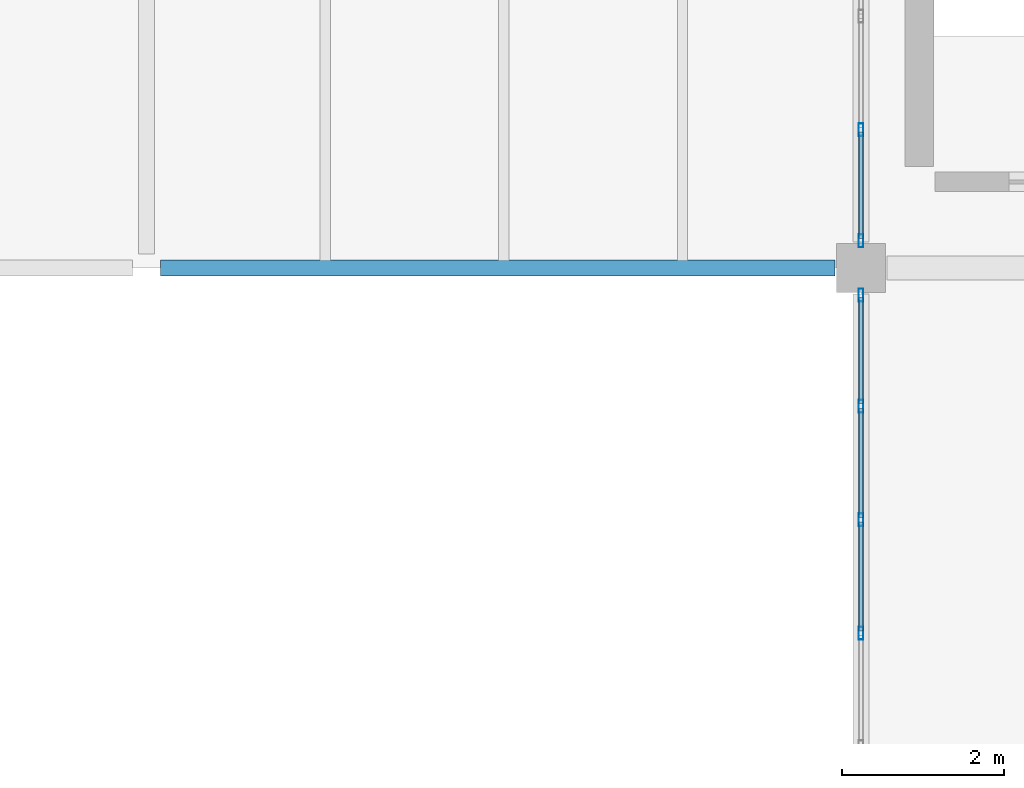
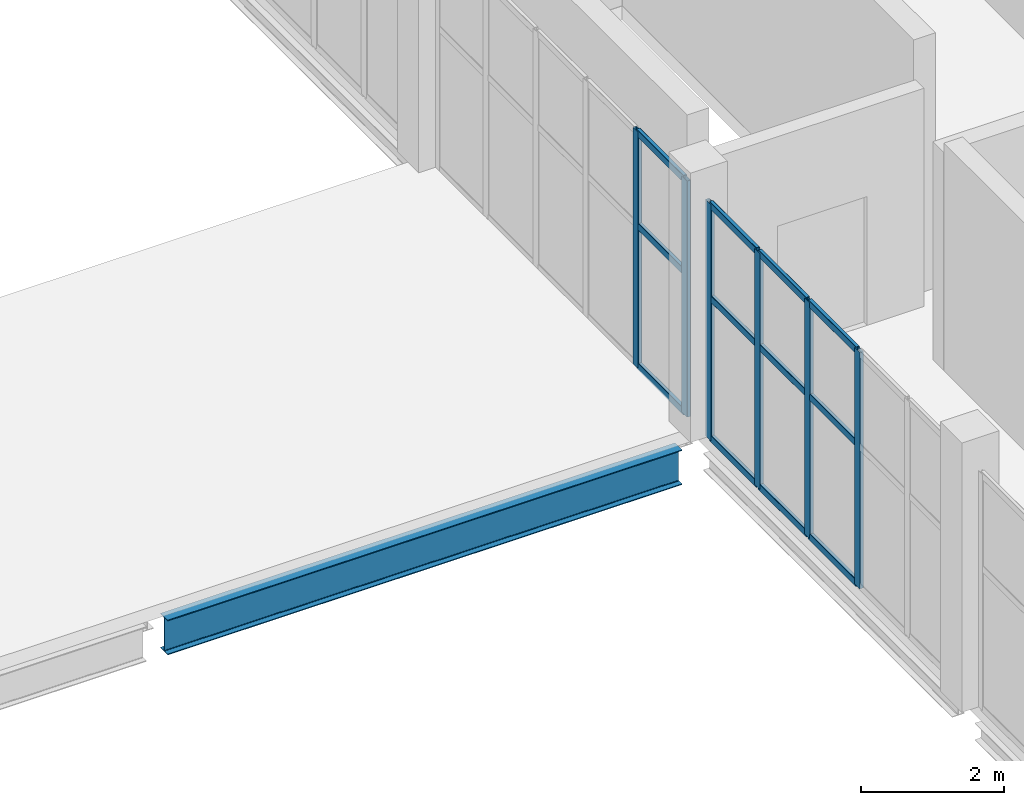
# One storey, part 76 of 136: 18 members, 1 beam, 2 elements without a shape of their own.
"""IFC4 building model written with IfcOpenShell, lengths in metres."""

import ifcopenshell
import ifcopenshell.guid

model = None  # the IFC model being written
_history = None  # IfcOwnerHistory: only IFC2X3 demands one
_inside = {}  # id of a spatial element -> (the spatial element, [elements in it])
_under = {}  # id of a project, library or spatial element -> (it, [spatial elements below it])
_declared = {}  # id of a project -> (the project, [libraries it declares])
_typed = {}  # id of a type object -> (the type object, [elements of that type])
_made_of = {}  # id of a material, layer set ... -> (it, [elements and type objects made of it])


def new_model(schema):
    """Start an empty IFC model of exactly this schema.

    Asked for "IFC4X3", IfcOpenShell would pick the latest addendum, in which some entities
    have other attributes; the version numbers below select the first issue.
    IFC2X3 requires an IfcOwnerHistory on every rooted entity: one is made here for all.
    """
    global model, _history
    if schema == "IFC4X3":
        model = ifcopenshell.file(schema_version=(4, 3, 0, 0))
    else:
        model = ifcopenshell.file(schema=schema)
    _inside.clear()
    _under.clear()
    _declared.clear()
    _typed.clear()
    _made_of.clear()
    _history = None
    if model.schema == "IFC2X3":
        org = make("IfcOrganization", Name="unknown")
        user = make(
            "IfcPersonAndOrganization",
            ThePerson=make("IfcPerson", FamilyName="unknown"),
            TheOrganization=org,
        )
        app = make(
            "IfcApplication",
            ApplicationDeveloper=org,
            Version="unknown",
            ApplicationFullName="unknown",
            ApplicationIdentifier="unknown",
        )
        _history = make(
            "IfcOwnerHistory",
            OwningUser=user,
            OwningApplication=app,
            ChangeAction="ADDED",
            CreationDate=0,
        )
    return model


def make(cls, **values):
    """One entity of the class cls with the attributes given. An attribute that is None is left unset."""
    return model.create_entity(
        cls, **{name: value for name, value in values.items() if value is not None}
    )


def rooted(cls, **values):
    """An entity with a GlobalId (a new one), such as an element, a storey or a relation."""
    return make(cls, GlobalId=ifcopenshell.guid.new(), OwnerHistory=_history, **values)


def si_unit(unit_type, name, prefix=None):
    """IfcSIUnit, for example si_unit("LENGTHUNIT", "METRE", prefix="MILLI")."""
    return make("IfcSIUnit", UnitType=unit_type, Prefix=prefix, Name=name)


def assignment(units):
    """IfcUnitAssignment: the units of a project."""
    return None if units is None else make("IfcUnitAssignment", Units=units)


def point(xyz):
    """IfcCartesianPoint."""
    return None if xyz is None else make("IfcCartesianPoint", Coordinates=xyz)


def direction(xyz):
    """IfcDirection."""
    return None if xyz is None else make("IfcDirection", DirectionRatios=xyz)


def frame(location, z_axis=None, x_axis=None):
    """IfcAxis2Placement3D, a coordinate frame: its origin and axes. An axis left out is left unset."""
    return make(
        "IfcAxis2Placement3D",
        Location=point(location),
        Axis=direction(z_axis),
        RefDirection=direction(x_axis),
    )


def frame_2d(location, x_axis=None):
    """IfcAxis2Placement2D, a coordinate frame in the plane: its origin and x axis."""
    return make(
        "IfcAxis2Placement2D", Location=point(location), RefDirection=direction(x_axis)
    )


def origin():
    """The frame at (0, 0, 0) with its axes left unset."""
    return frame((0.0, 0.0, 0.0))


def origin_2d():
    """The frame at (0, 0) in the plane with its x axis left unset."""
    return frame_2d((0.0, 0.0))


def place(relative_to, where):
    """IfcLocalPlacement: puts the frame where relative to a parent placement (None: the world)."""
    return make(
        "IfcLocalPlacement", PlacementRelTo=relative_to, RelativePlacement=where
    )


def context(
    kind, dimensions, precision=None, world=None, true_north=None, identifier=None
):
    """IfcGeometricRepresentationContext, for example the 3D "Model" context."""
    return make(
        "IfcGeometricRepresentationContext",
        ContextIdentifier=identifier,
        ContextType=kind,
        CoordinateSpaceDimension=dimensions,
        Precision=precision,
        WorldCoordinateSystem=world,
        TrueNorth=true_north,
    )


def subcontext(parent, identifier, kind, view, scale=None):
    """IfcGeometricRepresentationSubContext, for example "Body" below "Model"."""
    return make(
        "IfcGeometricRepresentationSubContext",
        ContextIdentifier=identifier,
        ContextType=kind,
        ParentContext=parent,
        TargetScale=scale,
        TargetView=view,
    )


def project(units=None, contexts=None):
    """IfcProject with its units and contexts."""
    return rooted(
        "IfcProject",
        Name="project",
        RepresentationContexts=contexts,
        UnitsInContext=assignment(units),
    )


def spatial(cls, under=None, at=None, **own):
    """A site, building, storey or space (cls), placed at a placement, below another one or the project."""
    s = rooted(cls, ObjectPlacement=at, **own)
    if under is not None:
        _under.setdefault(under.id(), (under, []))[1].append(s)
    return s


def profile(cls, at=None, kind="AREA", **sizes):
    """A parametric profile (cls). Its sizes go by their IFC names, for example OverallWidth=200.0."""
    return make(cls, ProfileType=kind, Position=at, **sizes)


def hollow_rectangle(**sizes):
    """IfcRectangleHollowProfileDef."""
    return profile("IfcRectangleHollowProfileDef", **sizes)


def i_section(**sizes):
    """IfcIShapeProfileDef."""
    return profile("IfcIShapeProfileDef", **sizes)


def extrude(swept, where, along, depth):
    """IfcExtrudedAreaSolid: the profile swept, set in the frame where, extruded along a direction by depth."""
    return make(
        "IfcExtrudedAreaSolid",
        SweptArea=swept,
        Position=where,
        ExtrudedDirection=direction(along),
        Depth=depth,
    )


def shape(context_of_items, identifier, shape_type, items):
    """IfcShapeRepresentation: the items that make up one representation, for example the "Body"."""
    return make(
        "IfcShapeRepresentation",
        ContextOfItems=context_of_items,
        RepresentationIdentifier=identifier,
        RepresentationType=shape_type,
        Items=items,
    )


def material(Name=None, Category=None):
    """IfcMaterial."""
    return make("IfcMaterial", Name=Name, Category=Category)


def material_profile(
    of_material, cross_section, Name=None, Category=None, Priority=None
):
    """IfcMaterialProfile: a cross section and its material."""
    return make(
        "IfcMaterialProfile",
        Name=Name,
        Material=of_material,
        Profile=cross_section,
        Priority=Priority,
        Category=Category,
    )


def profile_set(profiles, Name=None, composite=None):
    """IfcMaterialProfileSet."""
    return make(
        "IfcMaterialProfileSet",
        Name=Name,
        MaterialProfiles=profiles,
        CompositeProfile=composite,
    )


def made_of(thing, what):
    """Note that an element or type object is made of a material, layer set ...; save() writes the relation."""
    if what is not None:
        _made_of.setdefault(what.id(), (what, []))[1].append(thing)
    return thing


def type_object(cls, material=None, **own):
    """A type object (cls), such as IfcWallType, which elements share."""
    return made_of(rooted(cls, **own), material)


def element(
    cls,
    number,
    at=None,
    inside=None,
    cuts=None,
    type_object=None,
    material=None,
    context=None,
    identifier="Body",
    shape_type=None,
    held_by="IfcProductDefinitionShape",
    body=None,
    shapes=None,
    **own,
):
    """One element of the class cls, such as IfcWall. Its Tag is "e" and its number.

    at: its placement. inside: the storey or other place that contains it. cuts: it is an
    opening in that element (IfcRelVoidsElement). A single representation is given by context,
    identifier, shape_type and body (its items); several are given by shapes. held_by: the class
    of the entity that holds the representations. save() writes the other relations.
    """
    e = rooted(cls, Tag="e%d" % number, ObjectPlacement=at, **own)
    if body is not None:
        shapes = [shape(context, identifier, shape_type, body)]
    if shapes is not None:
        e.Representation = make(held_by, Representations=shapes)
    if inside is not None:
        _inside.setdefault(inside.id(), (inside, []))[1].append(e)
    if cuts is not None:
        rooted(
            "IfcRelVoidsElement", RelatingBuildingElement=cuts, RelatedOpeningElement=e
        )
    if type_object is not None:
        _typed.setdefault(type_object.id(), (type_object, []))[1].append(e)
    return made_of(e, material)


def aggregate(whole, parts):
    """IfcRelAggregates: a whole, such as a stair, and the parts it consists of."""
    return rooted("IfcRelAggregates", RelatingObject=whole, RelatedObjects=parts)


def save(model, path):
    """Write the relations noted so far, then the file.

    IfcRelAggregates (storeys below a building ...), IfcRelContainedInSpatialStructure (elements
    in a storey), IfcRelDefinesByType, IfcRelAssociatesMaterial and IfcRelDeclares: one each for
    every whole, place, type object, material and project.
    """
    for whole, parts in _under.values():
        aggregate(whole, parts)
    for where, things in _inside.values():
        rooted(
            "IfcRelContainedInSpatialStructure",
            RelatedElements=things,
            RelatingStructure=where,
        )
    for kind, things in _typed.values():
        rooted("IfcRelDefinesByType", RelatedObjects=things, RelatingType=kind)
    for what, things in _made_of.values():
        rooted("IfcRelAssociatesMaterial", RelatedObjects=things, RelatingMaterial=what)
    for by, libraries in _declared.values():
        rooted("IfcRelDeclares", RelatingContext=by, RelatedDefinitions=libraries)
    model.write(path)


model = new_model("IFC4")

# Units and contexts
model_context = context("Model", 3, precision=1e-05, world=origin(), true_north=direction((0.0, 1.0)))
body_context = subcontext(model_context, "Body", "Model", "MODEL_VIEW")
ifc_project = project(units=[si_unit("LENGTHUNIT", "METRE"), si_unit("AREAUNIT", "SQUARE_METRE"), si_unit("VOLUMEUNIT", "CUBIC_METRE"), si_unit("PLANEANGLEUNIT", "RADIAN"), si_unit("MASSUNIT", "GRAM", prefix="KILO")], contexts=[model_context])

# Site, building, storey
site_placement = place(None, origin())
site = spatial("IfcSite", under=ifc_project, at=site_placement, CompositionType="ELEMENT")
building_placement = place(site_placement, origin())
building = spatial("IfcBuilding", under=site, at=building_placement, Name="Shengluoqiao Park Theatre", CompositionType="ELEMENT")
storey_placement = place(building_placement, frame((0.0, 0.0, 10.0)))
storey = spatial("IfcBuildingStorey", under=building, at=storey_placement, Name="L02", CompositionType="ELEMENT", Elevation=10.0)

# Curtain wall, members
ifc_material_1 = material(Name="Aluminium 6063-T6", Category="aluminium")
curtain_wall_type = type_object("IfcCurtainWallType", Name="ENV-CW-COURT", PredefinedType="NOTDEFINED", material=ifc_material_1)
curtain_wall_1_placement = place(storey_placement, origin())
curtain_wall_1 = element("IfcCurtainWall", 1, at=curtain_wall_1_placement, inside=storey, type_object=curtain_wall_type, Name="L02 Curtain Wall CWX-L02-0195", PredefinedType="NOTDEFINED")
ifc_material_profile_1 = material_profile(ifc_material_1, hollow_rectangle(XDim=0.06005859375, YDim=0.159912109375, WallThickness=0.00390625, InnerFilletRadius=0.00390625, OuterFilletRadius=0.008056640625, at=origin_2d()), Name="ALU MULLION 160x60x4")
ifc_profile_set_1 = profile_set([ifc_material_profile_1], Name="Aluminium 6063-T6")
member_type_1 = type_object("IfcMemberType", Name="ENV-MUL-160", PredefinedType="MULLION", material=ifc_profile_set_1)
member_1_placement = place(storey_placement, frame((157.199951171875, 48.70068359375, 0.0), z_axis=(0.0, 0.0, 1.0), x_axis=(-1.0, 0.0, 0.0)))
member_1 = element("IfcMember", 2, at=member_1_placement, type_object=member_type_1, Name="CW-05 mullion 3", PredefinedType="MULLION", context=body_context, shape_type="SweptSolid", body=[
    extrude(hollow_rectangle(XDim=0.06005859375, YDim=0.159912109375, WallThickness=0.00390625, InnerFilletRadius=0.00390625, OuterFilletRadius=0.008056640625, at=origin_2d()), origin(), (0.0, 0.0, 1.0), 4.033935546875),
])
member_2_placement = place(storey_placement, frame((157.199951171875, 50.09912109375, 0.0), z_axis=(0.0, 0.0, 1.0), x_axis=(-1.0, 0.0, 0.0)))
member_2 = element("IfcMember", 3, at=member_2_placement, type_object=member_type_1, Name="CW-05 mullion 4", PredefinedType="MULLION", context=body_context, shape_type="SweptSolid", body=[
    extrude(hollow_rectangle(XDim=0.06005859375, YDim=0.159912109375, WallThickness=0.00390625, InnerFilletRadius=0.00390625, OuterFilletRadius=0.008056640625, at=origin_2d()), origin(), (0.0, 0.0, 1.0), 4.033935546875),
])
member_3_placement = place(storey_placement, frame((157.199951171875, 51.49755859375, 0.0), z_axis=(0.0, 0.0, 1.0), x_axis=(-1.0, 0.0, 0.0)))
member_3 = element("IfcMember", 4, at=member_3_placement, type_object=member_type_1, Name="CW-05 mullion 5", PredefinedType="MULLION", context=body_context, shape_type="SweptSolid", body=[
    extrude(hollow_rectangle(XDim=0.06005859375, YDim=0.159912109375, WallThickness=0.00390625, InnerFilletRadius=0.00390625, OuterFilletRadius=0.008056640625, at=origin_2d()), origin(), (0.0, 0.0, 1.0), 4.033935546875),
])
member_4_placement = place(storey_placement, frame((157.199951171875, 52.865966796875, 0.0), z_axis=(0.0, 0.0, 1.0), x_axis=(-1.0, 0.0, 0.0)))
member_4 = element("IfcMember", 5, at=member_4_placement, type_object=member_type_1, Name="CW-05 mullion 6", PredefinedType="MULLION", context=body_context, shape_type="SweptSolid", body=[
    extrude(hollow_rectangle(XDim=0.06005859375, YDim=0.159912109375, WallThickness=0.00390625, InnerFilletRadius=0.00390625, OuterFilletRadius=0.008056640625, at=origin_2d()), origin(), (0.0, 0.0, 1.0), 4.033935546875),
])

curtain_wall_2_placement = place(storey_placement, origin())
curtain_wall_2 = element("IfcCurtainWall", 6, at=curtain_wall_2_placement, inside=storey, type_object=curtain_wall_type, Name="L02 Curtain Wall CWX-L02-0196", PredefinedType="NOTDEFINED")
member_5_placement = place(storey_placement, frame((157.199951171875, 53.533935546875, 0.0), z_axis=(0.0, 0.0, 1.0), x_axis=(-1.0, 0.0, 0.0)))
member_5 = element("IfcMember", 7, at=member_5_placement, type_object=member_type_1, Name="CW-05 mullion 1", PredefinedType="MULLION", context=body_context, shape_type="SweptSolid", body=[
    extrude(hollow_rectangle(XDim=0.06005859375, YDim=0.159912109375, WallThickness=0.00390625, InnerFilletRadius=0.00390625, OuterFilletRadius=0.008056640625, at=origin_2d()), origin(), (0.0, 0.0, 1.0), 4.033935546875),
])
member_6_placement = place(storey_placement, frame((157.199951171875, 54.90234375, 0.0), z_axis=(0.0, 0.0, 1.0), x_axis=(-1.0, 0.0, 0.0)))
member_6 = element("IfcMember", 8, at=member_6_placement, type_object=member_type_1, Name="CW-05 mullion 2", PredefinedType="MULLION", context=body_context, shape_type="SweptSolid", body=[
    extrude(hollow_rectangle(XDim=0.06005859375, YDim=0.159912109375, WallThickness=0.00390625, InnerFilletRadius=0.00390625, OuterFilletRadius=0.008056640625, at=origin_2d()), origin(), (0.0, 0.0, 1.0), 4.033935546875),
])

# Member
ifc_material_profile_2 = material_profile(ifc_material_1, hollow_rectangle(XDim=0.06005859375, YDim=0.1201171875, WallThickness=0.00390625, InnerFilletRadius=0.00390625, OuterFilletRadius=0.008056640625, at=origin_2d()), Name="ALU TRANSOM 120x60x4")
ifc_profile_set_2 = profile_set([ifc_material_profile_2], Name="Aluminium 6063-T6")
member_type_2 = type_object("IfcMemberType", Name="ENV-TRN-120", PredefinedType="USERDEFINED", material=ifc_profile_set_2)
member_7_placement = place(storey_placement, frame((157.199951171875, 48.730712890625, 0.030029296875), z_axis=(0.0, 1.0, 0.0), x_axis=(-1.0, 0.0, 0.0)))
member_7 = element("IfcMember", 9, at=member_7_placement, type_object=member_type_2, Name="CW-05 transom 3.1", ObjectType="TRANSOM", PredefinedType="USERDEFINED", context=body_context, shape_type="SweptSolid", body=[
    extrude(hollow_rectangle(XDim=0.06005859375, YDim=0.1201171875, WallThickness=0.00390625, InnerFilletRadius=0.00390625, OuterFilletRadius=0.008056640625, at=origin_2d()), origin(), (0.0, 0.0, 1.0), 1.33837890625),
])

member_8_placement = place(storey_placement, frame((157.199951171875, 48.730712890625, 2.419921875), z_axis=(0.0, 1.0, 0.0), x_axis=(-1.0, 0.0, 0.0)))
member_8 = element("IfcMember", 10, at=member_8_placement, type_object=member_type_2, Name="CW-05 transom 3.2", ObjectType="TRANSOM", PredefinedType="USERDEFINED", context=body_context, shape_type="SweptSolid", body=[
    extrude(hollow_rectangle(XDim=0.06005859375, YDim=0.1201171875, WallThickness=0.00390625, InnerFilletRadius=0.00390625, OuterFilletRadius=0.008056640625, at=origin_2d()), origin(), (0.0, 0.0, 1.0), 1.33837890625),
])

member_9_placement = place(storey_placement, frame((157.199951171875, 48.730712890625, 4.00390625), z_axis=(0.0, 1.0, 0.0), x_axis=(-1.0, 0.0, 0.0)))
member_9 = element("IfcMember", 11, at=member_9_placement, type_object=member_type_2, Name="CW-05 transom 3.3", ObjectType="TRANSOM", PredefinedType="USERDEFINED", context=body_context, shape_type="SweptSolid", body=[
    extrude(hollow_rectangle(XDim=0.06005859375, YDim=0.1201171875, WallThickness=0.00390625, InnerFilletRadius=0.00390625, OuterFilletRadius=0.008056640625, at=origin_2d()), origin(), (0.0, 0.0, 1.0), 1.33837890625),
])

member_10_placement = place(storey_placement, frame((157.199951171875, 50.129150390625, 0.030029296875), z_axis=(0.0, 1.0, 0.0), x_axis=(-1.0, 0.0, 0.0)))
member_10 = element("IfcMember", 12, at=member_10_placement, type_object=member_type_2, Name="CW-05 transom 4.1", ObjectType="TRANSOM", PredefinedType="USERDEFINED", context=body_context, shape_type="SweptSolid", body=[
    extrude(hollow_rectangle(XDim=0.06005859375, YDim=0.1201171875, WallThickness=0.00390625, InnerFilletRadius=0.00390625, OuterFilletRadius=0.008056640625, at=origin_2d()), origin(), (0.0, 0.0, 1.0), 1.33837890625),
])

member_11_placement = place(storey_placement, frame((157.199951171875, 50.129150390625, 2.419921875), z_axis=(0.0, 1.0, 0.0), x_axis=(-1.0, 0.0, 0.0)))
member_11 = element("IfcMember", 13, at=member_11_placement, type_object=member_type_2, Name="CW-05 transom 4.2", ObjectType="TRANSOM", PredefinedType="USERDEFINED", context=body_context, shape_type="SweptSolid", body=[
    extrude(hollow_rectangle(XDim=0.06005859375, YDim=0.1201171875, WallThickness=0.00390625, InnerFilletRadius=0.00390625, OuterFilletRadius=0.008056640625, at=origin_2d()), origin(), (0.0, 0.0, 1.0), 1.33837890625),
])

member_12_placement = place(storey_placement, frame((157.199951171875, 50.129150390625, 4.00390625), z_axis=(0.0, 1.0, 0.0), x_axis=(-1.0, 0.0, 0.0)))
member_12 = element("IfcMember", 14, at=member_12_placement, type_object=member_type_2, Name="CW-05 transom 4.3", ObjectType="TRANSOM", PredefinedType="USERDEFINED", context=body_context, shape_type="SweptSolid", body=[
    extrude(hollow_rectangle(XDim=0.06005859375, YDim=0.1201171875, WallThickness=0.00390625, InnerFilletRadius=0.00390625, OuterFilletRadius=0.008056640625, at=origin_2d()), origin(), (0.0, 0.0, 1.0), 1.33837890625),
])

member_13_placement = place(storey_placement, frame((157.199951171875, 51.527587890625, 0.030029296875), z_axis=(0.0, 1.0, 0.0), x_axis=(-1.0, 0.0, 0.0)))
member_13 = element("IfcMember", 15, at=member_13_placement, type_object=member_type_2, Name="CW-05 transom 5.1", ObjectType="TRANSOM", PredefinedType="USERDEFINED", context=body_context, shape_type="SweptSolid", body=[
    extrude(hollow_rectangle(XDim=0.06005859375, YDim=0.1201171875, WallThickness=0.00390625, InnerFilletRadius=0.00390625, OuterFilletRadius=0.008056640625, at=origin_2d()), origin(), (0.0, 0.0, 1.0), 1.308349609375),
])

member_14_placement = place(storey_placement, frame((157.199951171875, 51.527587890625, 2.419921875), z_axis=(0.0, 1.0, 0.0), x_axis=(-1.0, 0.0, 0.0)))
member_14 = element("IfcMember", 16, at=member_14_placement, type_object=member_type_2, Name="CW-05 transom 5.2", ObjectType="TRANSOM", PredefinedType="USERDEFINED", context=body_context, shape_type="SweptSolid", body=[
    extrude(hollow_rectangle(XDim=0.06005859375, YDim=0.1201171875, WallThickness=0.00390625, InnerFilletRadius=0.00390625, OuterFilletRadius=0.008056640625, at=origin_2d()), origin(), (0.0, 0.0, 1.0), 1.308349609375),
])

member_15_placement = place(storey_placement, frame((157.199951171875, 51.527587890625, 4.00390625), z_axis=(0.0, 1.0, 0.0), x_axis=(-1.0, 0.0, 0.0)))
member_15 = element("IfcMember", 17, at=member_15_placement, type_object=member_type_2, Name="CW-05 transom 5.3", ObjectType="TRANSOM", PredefinedType="USERDEFINED", context=body_context, shape_type="SweptSolid", body=[
    extrude(hollow_rectangle(XDim=0.06005859375, YDim=0.1201171875, WallThickness=0.00390625, InnerFilletRadius=0.00390625, OuterFilletRadius=0.008056640625, at=origin_2d()), origin(), (0.0, 0.0, 1.0), 1.308349609375),
])

aggregate(curtain_wall_1, [member_1, member_2, member_3, member_4, member_7, member_8, member_9, member_10, member_11, member_12, member_13, member_14, member_15])

member_16_placement = place(storey_placement, frame((157.199951171875, 53.56396484375, 0.030029296875), z_axis=(0.0, 1.0, 0.0), x_axis=(-1.0, 0.0, 0.0)))
member_16 = element("IfcMember", 18, at=member_16_placement, type_object=member_type_2, Name="CW-05 transom 1.1", ObjectType="TRANSOM", PredefinedType="USERDEFINED", context=body_context, shape_type="SweptSolid", body=[
    extrude(hollow_rectangle(XDim=0.06005859375, YDim=0.1201171875, WallThickness=0.00390625, InnerFilletRadius=0.00390625, OuterFilletRadius=0.008056640625, at=origin_2d()), origin(), (0.0, 0.0, 1.0), 1.308349609375),
])

member_17_placement = place(storey_placement, frame((157.199951171875, 53.56396484375, 2.419921875), z_axis=(0.0, 1.0, 0.0), x_axis=(-1.0, 0.0, 0.0)))
member_17 = element("IfcMember", 19, at=member_17_placement, type_object=member_type_2, Name="CW-05 transom 1.2", ObjectType="TRANSOM", PredefinedType="USERDEFINED", context=body_context, shape_type="SweptSolid", body=[
    extrude(hollow_rectangle(XDim=0.06005859375, YDim=0.1201171875, WallThickness=0.00390625, InnerFilletRadius=0.00390625, OuterFilletRadius=0.008056640625, at=origin_2d()), origin(), (0.0, 0.0, 1.0), 1.308349609375),
])

member_18_placement = place(storey_placement, frame((157.199951171875, 53.56396484375, 4.00390625), z_axis=(0.0, 1.0, 0.0), x_axis=(-1.0, 0.0, 0.0)))
member_18 = element("IfcMember", 20, at=member_18_placement, type_object=member_type_2, Name="CW-05 transom 1.3", ObjectType="TRANSOM", PredefinedType="USERDEFINED", context=body_context, shape_type="SweptSolid", body=[
    extrude(hollow_rectangle(XDim=0.06005859375, YDim=0.1201171875, WallThickness=0.00390625, InnerFilletRadius=0.00390625, OuterFilletRadius=0.008056640625, at=origin_2d()), origin(), (0.0, 0.0, 1.0), 1.308349609375),
])

aggregate(curtain_wall_2, [member_5, member_6, member_16, member_17, member_18])

# Beam
ifc_material_2 = material(Name="Steel Q355", Category="steel")
ifc_material_profile_3 = material_profile(ifc_material_2, i_section(OverallWidth=0.198974609375, OverallDepth=0.595947265625, WebThickness=0.010009765625, FlangeThickness=0.014892578125, FilletRadius=0.02001953125, at=origin_2d()), Name="HN 596x199x10x15")
ifc_profile_set_3 = profile_set([ifc_material_profile_3], Name="Steel Q355")
beam_type = type_object("IfcBeamType", Name="STR-BM-SP-HN596", PredefinedType="SPANDREL", material=ifc_profile_set_3)
beam_placement = place(storey_placement, frame((148.572021484375, 53.199951171875, -0.5380859375), z_axis=(1.0, 0.0, 0.0), x_axis=(0.0, 1.0, 0.0)))
element("IfcBeam", 21, at=beam_placement, inside=storey, type_object=beam_type, Name="L02 Primary Girder 01913", PredefinedType="SPANDREL", context=body_context, shape_type="SweptSolid", body=[
    extrude(i_section(OverallWidth=0.198974609375, OverallDepth=0.595947265625, WebThickness=0.010009765625, FlangeThickness=0.014892578125, FilletRadius=0.02001953125, at=origin_2d()), origin(), (0.0, 0.0, 1.0), 8.30908203125),
])

save(model, "model.ifc")
